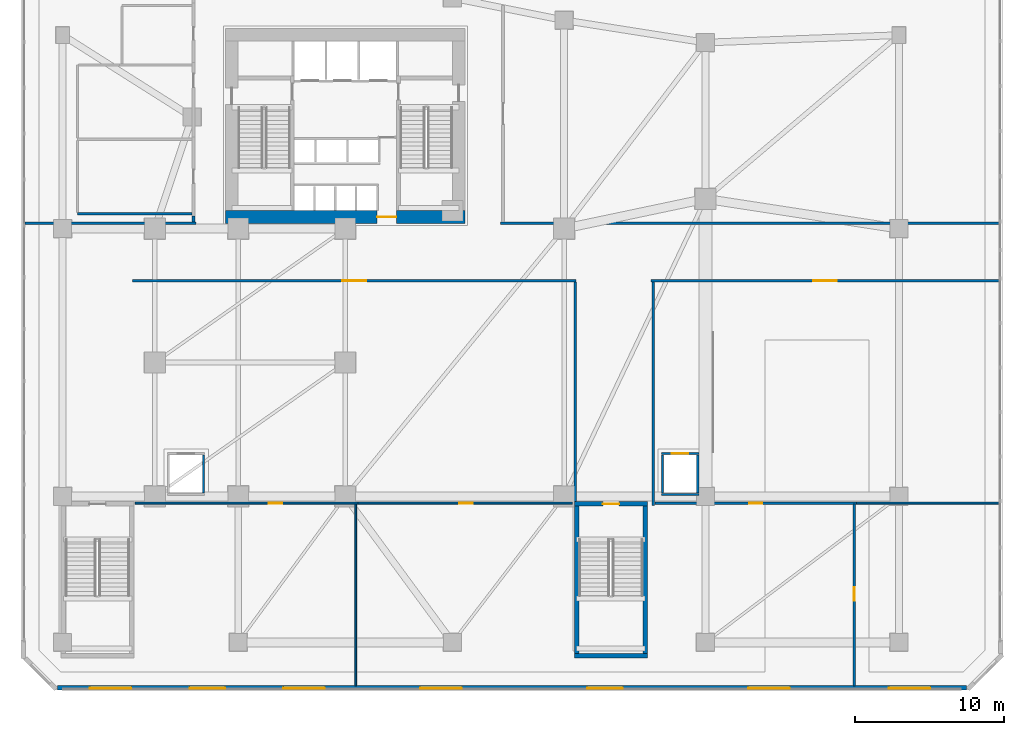
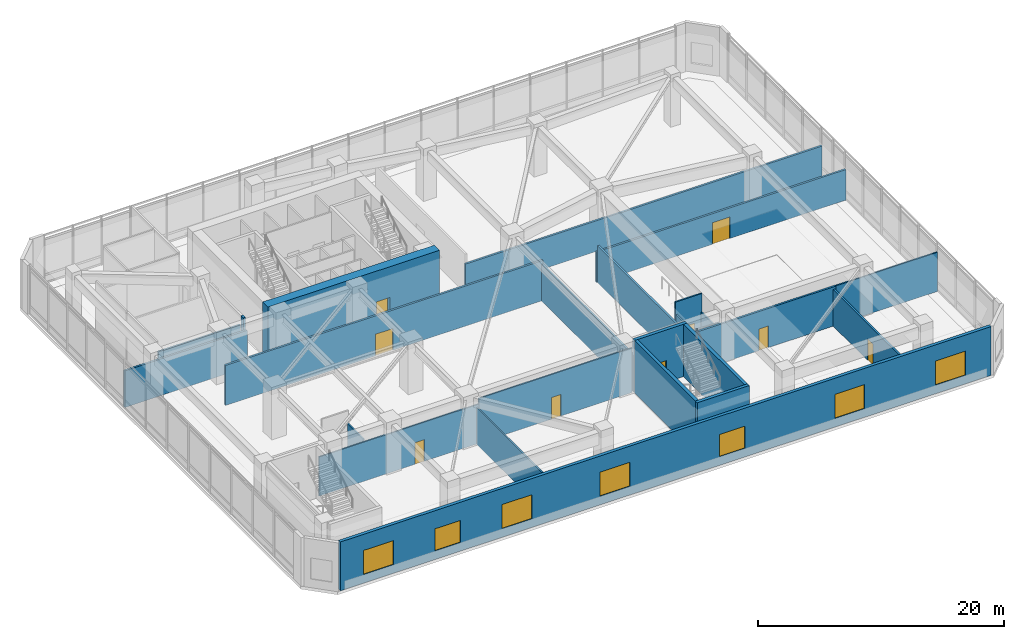
# One storey, part 10 of 15: 25 walls, 9 doors, 7 windows, 16 openings.
"""IFC4 building model written with IfcOpenShell, lengths in metres."""

import ifcopenshell
import ifcopenshell.guid

model = None  # the IFC model being written
_history = None  # IfcOwnerHistory: only IFC2X3 demands one
_inside = {}  # id of a spatial element -> (the spatial element, [elements in it])
_under = {}  # id of a project, library or spatial element -> (it, [spatial elements below it])
_declared = {}  # id of a project -> (the project, [libraries it declares])
_typed = {}  # id of a type object -> (the type object, [elements of that type])
_made_of = {}  # id of a material, layer set ... -> (it, [elements and type objects made of it])


def new_model(schema):
    """Start an empty IFC model of exactly this schema.

    Asked for "IFC4X3", IfcOpenShell would pick the latest addendum, in which some entities
    have other attributes; the version numbers below select the first issue.
    IFC2X3 requires an IfcOwnerHistory on every rooted entity: one is made here for all.
    """
    global model, _history
    if schema == "IFC4X3":
        model = ifcopenshell.file(schema_version=(4, 3, 0, 0))
    else:
        model = ifcopenshell.file(schema=schema)
    _inside.clear()
    _under.clear()
    _declared.clear()
    _typed.clear()
    _made_of.clear()
    _history = None
    if model.schema == "IFC2X3":
        org = make("IfcOrganization", Name="unknown")
        user = make(
            "IfcPersonAndOrganization",
            ThePerson=make("IfcPerson", FamilyName="unknown"),
            TheOrganization=org,
        )
        app = make(
            "IfcApplication",
            ApplicationDeveloper=org,
            Version="unknown",
            ApplicationFullName="unknown",
            ApplicationIdentifier="unknown",
        )
        _history = make(
            "IfcOwnerHistory",
            OwningUser=user,
            OwningApplication=app,
            ChangeAction="ADDED",
            CreationDate=0,
        )
    return model


def make(cls, **values):
    """One entity of the class cls with the attributes given. An attribute that is None is left unset."""
    return model.create_entity(
        cls, **{name: value for name, value in values.items() if value is not None}
    )


def rooted(cls, **values):
    """An entity with a GlobalId (a new one), such as an element, a storey or a relation."""
    return make(cls, GlobalId=ifcopenshell.guid.new(), OwnerHistory=_history, **values)


def si_unit(unit_type, name, prefix=None):
    """IfcSIUnit, for example si_unit("LENGTHUNIT", "METRE", prefix="MILLI")."""
    return make("IfcSIUnit", UnitType=unit_type, Prefix=prefix, Name=name)


def assignment(units):
    """IfcUnitAssignment: the units of a project."""
    return None if units is None else make("IfcUnitAssignment", Units=units)


def point(xyz):
    """IfcCartesianPoint."""
    return None if xyz is None else make("IfcCartesianPoint", Coordinates=xyz)


def direction(xyz):
    """IfcDirection."""
    return None if xyz is None else make("IfcDirection", DirectionRatios=xyz)


def frame(location, z_axis=None, x_axis=None):
    """IfcAxis2Placement3D, a coordinate frame: its origin and axes. An axis left out is left unset."""
    return make(
        "IfcAxis2Placement3D",
        Location=point(location),
        Axis=direction(z_axis),
        RefDirection=direction(x_axis),
    )


def frame_2d(location, x_axis=None):
    """IfcAxis2Placement2D, a coordinate frame in the plane: its origin and x axis."""
    return make(
        "IfcAxis2Placement2D", Location=point(location), RefDirection=direction(x_axis)
    )


def origin():
    """The frame at (0, 0, 0) with its axes left unset."""
    return frame((0.0, 0.0, 0.0))


def place(relative_to, where):
    """IfcLocalPlacement: puts the frame where relative to a parent placement (None: the world)."""
    return make(
        "IfcLocalPlacement", PlacementRelTo=relative_to, RelativePlacement=where
    )


def context(
    kind, dimensions, precision=None, world=None, true_north=None, identifier=None
):
    """IfcGeometricRepresentationContext, for example the 3D "Model" context."""
    return make(
        "IfcGeometricRepresentationContext",
        ContextIdentifier=identifier,
        ContextType=kind,
        CoordinateSpaceDimension=dimensions,
        Precision=precision,
        WorldCoordinateSystem=world,
        TrueNorth=true_north,
    )


def subcontext(parent, identifier, kind, view, scale=None):
    """IfcGeometricRepresentationSubContext, for example "Body" below "Model"."""
    return make(
        "IfcGeometricRepresentationSubContext",
        ContextIdentifier=identifier,
        ContextType=kind,
        ParentContext=parent,
        TargetScale=scale,
        TargetView=view,
    )


def project(units=None, contexts=None):
    """IfcProject with its units and contexts."""
    return rooted(
        "IfcProject",
        Name="project",
        RepresentationContexts=contexts,
        UnitsInContext=assignment(units),
    )


def spatial(cls, under=None, at=None, **own):
    """A site, building, storey or space (cls), placed at a placement, below another one or the project."""
    s = rooted(cls, ObjectPlacement=at, **own)
    if under is not None:
        _under.setdefault(under.id(), (under, []))[1].append(s)
    return s


def profile(cls, at=None, kind="AREA", **sizes):
    """A parametric profile (cls). Its sizes go by their IFC names, for example OverallWidth=200.0."""
    return make(cls, ProfileType=kind, Position=at, **sizes)


def rectangle(**sizes):
    """IfcRectangleProfileDef."""
    return profile("IfcRectangleProfileDef", **sizes)


def extrude(swept, where, along, depth):
    """IfcExtrudedAreaSolid: the profile swept, set in the frame where, extruded along a direction by depth."""
    return make(
        "IfcExtrudedAreaSolid",
        SweptArea=swept,
        Position=where,
        ExtrudedDirection=direction(along),
        Depth=depth,
    )


def shape(context_of_items, identifier, shape_type, items):
    """IfcShapeRepresentation: the items that make up one representation, for example the "Body"."""
    return make(
        "IfcShapeRepresentation",
        ContextOfItems=context_of_items,
        RepresentationIdentifier=identifier,
        RepresentationType=shape_type,
        Items=items,
    )


def source(mapping_origin, context_of_items, identifier, shape_type, items):
    """IfcRepresentationMap: a shape defined once, which mapped items show again and again."""
    return make(
        "IfcRepresentationMap",
        MappingOrigin=mapping_origin,
        MappedRepresentation=shape(context_of_items, identifier, shape_type, items),
    )


def transform(
    local_origin,
    x_axis=None,
    y_axis=None,
    z_axis=None,
    scale=None,
    scale2=None,
    scale3=None,
    uniform=True,
):
    """IfcCartesianTransformationOperator3D, or its non-uniform kind. x_axis, y_axis, z_axis: its Axis1, 2, 3."""
    if uniform:
        return make(
            "IfcCartesianTransformationOperator3D",
            Axis1=direction(x_axis),
            Axis2=direction(y_axis),
            LocalOrigin=point(local_origin),
            Scale=scale,
            Axis3=direction(z_axis),
        )
    return make(
        "IfcCartesianTransformationOperator3DnonUniform",
        Axis1=direction(x_axis),
        Axis2=direction(y_axis),
        LocalOrigin=point(local_origin),
        Scale=scale,
        Axis3=direction(z_axis),
        Scale2=scale2,
        Scale3=scale3,
    )


def mapped(mapping_source, mapping_target):
    """IfcMappedItem: shows the shape of a source again, moved by a transform."""
    return make(
        "IfcMappedItem", MappingSource=mapping_source, MappingTarget=mapping_target
    )


def material(Name=None, Category=None):
    """IfcMaterial."""
    return make("IfcMaterial", Name=Name, Category=Category)


def layer(
    of_material, thickness, ventilated=None, Name=None, Category=None, Priority=None
):
    """IfcMaterialLayer: one layer of a wall or slab, of a material (None: an air gap)."""
    return make(
        "IfcMaterialLayer",
        Material=of_material,
        LayerThickness=thickness,
        IsVentilated=ventilated,
        Name=Name,
        Category=Category,
        Priority=Priority,
    )


def layer_set(layers, Name=None):
    """IfcMaterialLayerSet."""
    return make("IfcMaterialLayerSet", MaterialLayers=layers, LayerSetName=Name)


def made_of(thing, what):
    """Note that an element or type object is made of a material, layer set ...; save() writes the relation."""
    if what is not None:
        _made_of.setdefault(what.id(), (what, []))[1].append(thing)
    return thing


def type_object(cls, material=None, **own):
    """A type object (cls), such as IfcWallType, which elements share."""
    return made_of(rooted(cls, **own), material)


def element(
    cls,
    number,
    at=None,
    inside=None,
    cuts=None,
    type_object=None,
    material=None,
    context=None,
    identifier="Body",
    shape_type=None,
    held_by="IfcProductDefinitionShape",
    body=None,
    shapes=None,
    **own,
):
    """One element of the class cls, such as IfcWall. Its Tag is "e" and its number.

    at: its placement. inside: the storey or other place that contains it. cuts: it is an
    opening in that element (IfcRelVoidsElement). A single representation is given by context,
    identifier, shape_type and body (its items); several are given by shapes. held_by: the class
    of the entity that holds the representations. save() writes the other relations.
    """
    e = rooted(cls, Tag="e%d" % number, ObjectPlacement=at, **own)
    if body is not None:
        shapes = [shape(context, identifier, shape_type, body)]
    if shapes is not None:
        e.Representation = make(held_by, Representations=shapes)
    if inside is not None:
        _inside.setdefault(inside.id(), (inside, []))[1].append(e)
    if cuts is not None:
        rooted(
            "IfcRelVoidsElement", RelatingBuildingElement=cuts, RelatedOpeningElement=e
        )
    if type_object is not None:
        _typed.setdefault(type_object.id(), (type_object, []))[1].append(e)
    return made_of(e, material)


def fill(opening, filler):
    """IfcRelFillsElement: the door or window that sits in an opening."""
    return rooted(
        "IfcRelFillsElement",
        RelatingOpeningElement=opening,
        RelatedBuildingElement=filler,
    )


def aggregate(whole, parts):
    """IfcRelAggregates: a whole, such as a stair, and the parts it consists of."""
    return rooted("IfcRelAggregates", RelatingObject=whole, RelatedObjects=parts)


def save(model, path):
    """Write the relations noted so far, then the file.

    IfcRelAggregates (storeys below a building ...), IfcRelContainedInSpatialStructure (elements
    in a storey), IfcRelDefinesByType, IfcRelAssociatesMaterial and IfcRelDeclares: one each for
    every whole, place, type object, material and project.
    """
    for whole, parts in _under.values():
        aggregate(whole, parts)
    for where, things in _inside.values():
        rooted(
            "IfcRelContainedInSpatialStructure",
            RelatedElements=things,
            RelatingStructure=where,
        )
    for kind, things in _typed.values():
        rooted("IfcRelDefinesByType", RelatedObjects=things, RelatingType=kind)
    for what, things in _made_of.values():
        rooted("IfcRelAssociatesMaterial", RelatedObjects=things, RelatingMaterial=what)
    for by, libraries in _declared.values():
        rooted("IfcRelDeclares", RelatingContext=by, RelatedDefinitions=libraries)
    model.write(path)


model = new_model("IFC4")

# Units and contexts
model_context = context("Model", 3, precision=1e-05, world=origin(), true_north=direction((0.0, 1.0)))
body_context = subcontext(model_context, "Body", "Model", "MODEL_VIEW")
ifc_project = project(units=[si_unit("LENGTHUNIT", "METRE"), si_unit("AREAUNIT", "SQUARE_METRE"), si_unit("VOLUMEUNIT", "CUBIC_METRE"), si_unit("PLANEANGLEUNIT", "RADIAN"), si_unit("MASSUNIT", "GRAM", prefix="KILO")], contexts=[model_context])

# Site, building, storey
site_placement = place(None, origin())
site = spatial("IfcSite", under=ifc_project, at=site_placement, CompositionType="ELEMENT")
building_placement = place(site_placement, origin())
building = spatial("IfcBuilding", under=site, at=building_placement, Name="Calvemar Wedge Station Tower", CompositionType="ELEMENT")
storey_placement = place(building_placement, frame((0.0, 0.0, 16.39990234375)))
storey = spatial("IfcBuildingStorey", under=building, at=storey_placement, Name="L04", CompositionType="ELEMENT", Elevation=16.39990234375)

# Walls
ifc_material_1 = material(Name="Concrete C50", Category="concrete")
ifc_layer_1 = layer(ifc_material_1, 0.300048828125)
ifc_layer_set_1 = layer_set([ifc_layer_1], Name="Concrete C50")
wall_type_1 = type_object("IfcWallType", Name="SW-CORE-300", PredefinedType="SHEAR", material=ifc_layer_set_1)
for number, where, z_axis, x_axis, name in (
    (1, (39.35009765625, 4.449951171875, 0.0), (0.0, 0.0, 1.0), (0.0, 1.0, 0.0), "Storey L04 Podium Stair STP2 Structural Wall W"),
    (2, (43.949951171875, 4.449951171875, 0.0), (0.0, 0.0, 1.0), (0.0, 1.0, 0.0), "Storey L04 Podium Stair STP2 Structural Wall E"),
):
    element("IfcWall", number, at=place(storey_placement, frame(where, z_axis=z_axis, x_axis=x_axis)), inside=storey, type_object=wall_type_1, Name=name, PredefinedType="SHEAR", context=body_context, shape_type="SweptSolid", body=[
        extrude(rectangle(XDim=9.900146484375, YDim=0.300048828125, at=frame_2d((4.9501953125, 0.0))), origin(), (0.0, 0.0, 1.0), 5.2001953125),
    ])
wall_1_placement = place(storey_placement, frame((39.199951171875, 4.300048828125, 0.0), z_axis=(0.0, 0.0, 1.0), x_axis=(1.0, 0.0, 0.0)))
element("IfcWall", 3, at=wall_1_placement, inside=storey, type_object=wall_type_1, Name="Storey L04 Podium Stair STP2 Structural Wall S", PredefinedType="SHEAR", context=body_context, shape_type="SweptSolid", body=[
    extrude(rectangle(XDim=4.900146484375, YDim=0.300048828125, at=frame_2d((2.4501953125, 0.0))), origin(), (0.0, 0.0, 1.0), 5.2001953125),
])

# Wall, opening, door
wall_2_placement = place(storey_placement, frame((39.199951171875, 14.5, 0.0), z_axis=(0.0, 0.0, 1.0), x_axis=(1.0, 0.0, 0.0)))
wall_2 = element("IfcWall", 4, at=wall_2_placement, inside=storey, type_object=wall_type_1, Name="Storey L04 Podium Stair STP2 Structural Wall N", PredefinedType="SHEAR", context=body_context, shape_type="SweptSolid", body=[
    extrude(rectangle(XDim=4.900146484375, YDim=0.300048828125, at=frame_2d((2.4501953125, 0.0))), origin(), (0.0, 0.0, 1.0), 5.2001953125),
])
shared_shape_1 = source(origin(), body_context, "Body", "SweptSolid", [
    extrude(rectangle(XDim=1.10009765625, YDim=2.14990234375, at=frame_2d((0.550048828125, 1.074951171875))), frame((0.0, 0.16015625, 0.0), z_axis=(0.0, -1.0, 0.0), x_axis=(1.0, 0.0, 0.0)), (0.0, 0.0, 1.0), 0.320068359375),
])
opening_1_placement = place(wall_2_placement, frame((1.89990234375, 0.0, 0.0)))
opening_1 = element("IfcOpeningElement", 5, at=opening_1_placement, cuts=wall_2, Name="Opening FD-90", PredefinedType="OPENING", context=body_context, shape_type="MappedRepresentation", body=[
    mapped(shared_shape_1, transform((0.0, 0.0, 0.0), scale=1.0)),
])
ifc_material_2 = material(Name="Galvanized fire-rated steel door leaf P-90", Category="steel")
door_type_1 = type_object("IfcDoorType", Name="DR-FD90-1100", OperationType="NOTDEFINED", PredefinedType="DOOR", material=ifc_material_2)
shared_shape_2 = source(origin(), body_context, "Body", "SweptSolid", [
    extrude(rectangle(XDim=1.10009765625, YDim=2.14990234375, at=frame_2d((0.550048828125, 1.074951171875))), frame((0.0, 0.02490234375, 0.0), z_axis=(0.0, -1.0, 0.0), x_axis=(1.0, 0.0, 0.0)), (0.0, 0.0, 1.0), 0.050048828125),
])
door_1_placement = place(opening_1_placement, origin())
door_1 = element("IfcDoor", 6, at=door_1_placement, inside=storey, type_object=door_type_1, Name="L04 Exit Stair ST-P2 Door", OperationType="SINGLE_SWING_LEFT", OverallHeight=2.14990234375, OverallWidth=1.10009765625, PredefinedType="DOOR", context=body_context, shape_type="MappedRepresentation", body=[
    mapped(shared_shape_2, transform((0.0, 0.0, 0.0), scale=1.0)),
])
fill(opening_1, door_1)

ifc_material_3 = material(Name="Concrete C80", Category="concrete")
ifc_layer_2 = layer(ifc_material_3, 0.85009765625)
ifc_layer_set_2 = layer_set([ifc_layer_2], Name="Concrete C80")
wall_type_2 = type_object("IfcWallType", Name="SW-CORE-850", PredefinedType="SHEAR", material=ifc_layer_set_2)
wall_3_placement = place(storey_placement, frame((15.75, 33.77490234375, 0.0), z_axis=(0.0, 0.0, 1.0), x_axis=(1.0, 0.0, 0.0)))
wall_3 = element("IfcWall", 7, at=wall_3_placement, inside=storey, type_object=wall_type_2, Name="Storey L04 Core Shear Wall S", PredefinedType="SHEAR", context=body_context, shape_type="SweptSolid", body=[
    extrude(rectangle(XDim=16.10009765625, YDim=0.85009765625, at=frame_2d((8.050048828125, 0.0))), origin(), (0.0, 0.0, 1.0), 5.2001953125),
])
shared_shape_3 = source(origin(), body_context, "Body", "SweptSolid", [
    extrude(rectangle(XDim=1.300048828125, YDim=2.14990234375, at=frame_2d((0.64990234375, 1.074951171875))), frame((0.0, 0.43505859375, 0.0), z_axis=(0.0, -1.0, 0.0), x_axis=(1.0, 0.0, 0.0)), (0.0, 0.0, 1.0), 0.8701171875),
])
opening_2_placement = place(wall_3_placement, frame((10.179931640625, 0.0, 0.0)))
opening_2 = element("IfcOpeningElement", 8, at=opening_2_placement, cuts=wall_3, Name="Opening DD-130", PredefinedType="OPENING", context=body_context, shape_type="MappedRepresentation", body=[
    mapped(shared_shape_3, transform((0.0, 0.0, 0.0), scale=1.0)),
])
ifc_material_4 = material(Name="Double-leaf lift lobby fire door EI 60")
door_type_2 = type_object("IfcDoorType", Name="DR-DBL-1300", OperationType="DOUBLE_DOOR_SINGLE_SWING", PredefinedType="DOOR", material=ifc_material_4)
shared_shape_4 = source(origin(), body_context, "Body", "SweptSolid", [
    extrude(rectangle(XDim=1.300048828125, YDim=2.14990234375, at=frame_2d((0.64990234375, 1.074951171875))), frame((0.0, 0.02490234375, 0.0), z_axis=(0.0, -1.0, 0.0), x_axis=(1.0, 0.0, 0.0)), (0.0, 0.0, 1.0), 0.050048828125),
])
door_2_placement = place(opening_2_placement, origin())
door_2 = element("IfcDoor", 9, at=door_2_placement, inside=storey, type_object=door_type_2, Name="L04 Passenger Lift Lobby Door", OperationType="DOUBLE_DOOR_SINGLE_SWING", OverallHeight=2.14990234375, OverallWidth=1.300048828125, PredefinedType="DOOR", context=body_context, shape_type="MappedRepresentation", body=[
    mapped(shared_shape_4, transform((0.0, 0.0, 0.0), scale=1.0)),
])
fill(opening_2, door_2)

# Wall
ifc_material_5 = material(Name="Double-stud fire-rated corridor partition")
ifc_layer_3 = layer(ifc_material_5, 0.179931640625)
ifc_layer_set_3 = layer_set([ifc_layer_3], Name="Double-stud fire-rated corridor partition")
wall_type_3 = type_object("IfcWallType", Name="W-CORR-180", PredefinedType="PARTITIONING", material=ifc_layer_set_3)
wall_4_placement = place(storey_placement, frame((2.264892578125, 33.35009765625, 0.0), z_axis=(0.0, 0.0, 1.0), x_axis=(1.0, 0.0, 0.0)))
element("IfcWall", 10, at=wall_4_placement, inside=storey, type_object=wall_type_3, Name="Storey L04 Interior Partition WL-L04-002", PredefinedType="PARTITIONING", context=body_context, shape_type="SweptSolid", body=[
    extrude(rectangle(XDim=11.4951171875, YDim=0.179931640625, at=frame_2d((5.74755859375, 0.0))), origin(), (0.0, 0.0, 1.0), 3.64208984375),
])

# Wall, opening, door
wall_5_placement = place(storey_placement, frame((39.31005859375, 29.5, 0.0), z_axis=(0.0, 0.0, 1.0), x_axis=(-1.0, 0.0, 0.0)))
wall_5 = element("IfcWall", 11, at=wall_5_placement, inside=storey, type_object=wall_type_3, Name="Storey L04 Interior Partition WL-L04-003", PredefinedType="PARTITIONING", context=body_context, shape_type="SweptSolid", body=[
    extrude(rectangle(XDim=29.820068359375, YDim=0.179931640625, at=frame_2d((14.91015625, 0.0))), origin(), (0.0, 0.0, 1.0), 3.97998046875),
])
shared_shape_5 = source(origin(), body_context, "Body", "SweptSolid", [
    extrude(rectangle(XDim=1.60009765625, YDim=2.14990234375, at=frame_2d((0.800048828125, 1.074951171875))), frame((0.0, 0.10009765625, 0.0), z_axis=(0.0, -1.0, 0.0), x_axis=(1.0, 0.0, 0.0)), (0.0, 0.0, 1.0), 0.199951171875),
])
opening_3_placement = place(wall_5_placement, frame((14.110107421875, 0.0, 0.0)))
opening_3 = element("IfcOpeningElement", 12, at=opening_3_placement, cuts=wall_5, Name="Opening DD-160", PredefinedType="OPENING", context=body_context, shape_type="MappedRepresentation", body=[
    mapped(shared_shape_5, transform((0.0, 0.0, 0.0), scale=1.0)),
])
ifc_material_6 = material(Name="Double-leaf fire-rated lobby door EI 60")
door_type_3 = type_object("IfcDoorType", Name="DR-DBL-1600", OperationType="DOUBLE_DOOR_SINGLE_SWING", PredefinedType="DOOR", material=ifc_material_6)
shared_shape_6 = source(origin(), body_context, "Body", "SweptSolid", [
    extrude(rectangle(XDim=1.60009765625, YDim=2.14990234375, at=frame_2d((0.800048828125, 1.074951171875))), frame((0.0, 0.02490234375, 0.0), z_axis=(0.0, -1.0, 0.0), x_axis=(1.0, 0.0, 0.0)), (0.0, 0.0, 1.0), 0.050048828125),
])
door_3_placement = place(opening_3_placement, origin())
door_3 = element("IfcDoor", 13, at=door_3_placement, inside=storey, type_object=door_type_3, Name="L04 Atlantic Grand Ballroom Door", OperationType="SINGLE_SWING_LEFT", OverallHeight=2.14990234375, OverallWidth=1.60009765625, PredefinedType="DOOR", context=body_context, shape_type="MappedRepresentation", body=[
    mapped(shared_shape_6, transform((0.0, 0.0, 0.0), scale=1.0)),
])
fill(opening_3, door_3)

wall_6_placement = place(storey_placement, frame((67.735107421875, 29.5, 0.0), z_axis=(0.0, 0.0, 1.0), x_axis=(-1.0, 0.0, 0.0)))
wall_6 = element("IfcWall", 14, at=wall_6_placement, inside=storey, type_object=wall_type_3, Name="Storey L04 Interior Partition WL-L04-004", PredefinedType="PARTITIONING", context=body_context, shape_type="SweptSolid", body=[
    extrude(rectangle(XDim=23.39501953125, YDim=0.179931640625, at=frame_2d((11.697509765625, 0.0))), origin(), (0.0, 0.0, 1.0), 3.0419921875),
])
opening_4_placement = place(wall_6_placement, frame((10.8974609375, 0.0, 0.0)))
opening_4 = element("IfcOpeningElement", 15, at=opening_4_placement, cuts=wall_6, Name="Opening DD-160", PredefinedType="OPENING", context=body_context, shape_type="MappedRepresentation", body=[
    mapped(shared_shape_5, transform((0.0, 0.0, 0.0), scale=1.0)),
])
door_4_placement = place(opening_4_placement, origin())
door_4 = element("IfcDoor", 16, at=door_4_placement, inside=storey, type_object=door_type_3, Name="L04 All-Day Dining Hall Door", OperationType="SINGLE_SWING_RIGHT", OverallHeight=2.14990234375, OverallWidth=1.60009765625, PredefinedType="DOOR", context=body_context, shape_type="MappedRepresentation", body=[
    mapped(shared_shape_6, transform((0.0, 0.0, 0.0), scale=1.0)),
])
fill(opening_4, door_4)

# Walls
wall_7_placement = place(storey_placement, frame((34.239990234375, 33.35009765625, 0.0), z_axis=(0.0, 0.0, 1.0), x_axis=(1.0, 0.0, 0.0)))
element("IfcWall", 17, at=wall_7_placement, inside=storey, type_object=wall_type_3, Name="Storey L04 Interior Partition WL-L04-005", PredefinedType="PARTITIONING", context=body_context, shape_type="SweptSolid", body=[
    extrude(rectangle(XDim=33.4951171875, YDim=0.179931640625, at=frame_2d((16.74755859375, 0.0))), origin(), (0.0, 0.0, 1.0), 3.0419921875),
])
wall_8_placement = place(storey_placement, frame((39.25, 14.52001953125, 0.0), z_axis=(0.0, 0.0, 1.0), x_axis=(0.0, 1.0, 0.0)))
element("IfcWall", 18, at=wall_8_placement, inside=storey, type_object=wall_type_3, Name="Storey L04 Interior Partition WL-L04-006", PredefinedType="PARTITIONING", context=body_context, shape_type="SweptSolid", body=[
    extrude(rectangle(XDim=14.885986328125, YDim=0.179931640625, at=frame_2d((7.44287109375, 0.0))), origin(), (0.0, 0.0, 1.0), 3.64208984375),
])
wall_9_placement = place(storey_placement, frame((44.5, 29.406005859375, 0.0), z_axis=(0.0, 0.0, 1.0), x_axis=(0.0, -1.0, 0.0)))
element("IfcWall", 19, at=wall_9_placement, inside=storey, type_object=wall_type_3, Name="Storey L04 Interior Partition WL-L04-007", PredefinedType="PARTITIONING", context=body_context, shape_type="SweptSolid", body=[
    extrude(rectangle(XDim=15.006103515625, YDim=0.179931640625, at=frame_2d((7.5029296875, 0.0))), origin(), (0.0, 0.0, 1.0), 3.64208984375),
])
wall_10_placement = place(storey_placement, frame((13.60009765625, 33.444091796875, 0.0), z_axis=(0.0, 0.0, 1.0), x_axis=(0.0, 1.0, 0.0)))
element("IfcWall", 20, at=wall_10_placement, inside=storey, type_object=wall_type_3, Name="Storey L04 Interior Partition WL-L04-012", PredefinedType="PARTITIONING", context=body_context, shape_type="SweptSolid", body=[
    extrude(rectangle(XDim=0.393798828125, YDim=0.179931640625, at=frame_2d((0.19677734375, 0.0))), origin(), (0.0, 0.0, 1.0), 4.85009765625),
])

# Wall, opening, door
wall_11_placement = place(storey_placement, frame((58.159912109375, 14.550048828125, 0.0), z_axis=(0.0, 0.0, 1.0), x_axis=(-1.0, 0.0, 0.0)))
wall_11 = element("IfcWall", 21, at=wall_11_placement, inside=storey, type_object=wall_type_3, Name="Storey L04 Interior Partition WL-L04-024", PredefinedType="PARTITIONING", context=body_context, shape_type="SweptSolid", body=[
    extrude(rectangle(XDim=13.56591796875, YDim=0.179931640625, at=frame_2d((6.782958984375, 0.0))), origin(), (0.0, 0.0, 1.0), 3.89208984375),
])
shared_shape_7 = source(origin(), body_context, "Body", "SweptSolid", [
    extrude(rectangle(XDim=0.89990234375, YDim=2.14990234375, at=frame_2d((0.449951171875, 1.074951171875))), frame((0.0, 0.10009765625, 0.0), z_axis=(0.0, -1.0, 0.0), x_axis=(1.0, 0.0, 0.0)), (0.0, 0.0, 1.0), 0.199951171875),
])
opening_5_placement = place(wall_11_placement, frame((6.3330078125, 0.0, 0.0)))
opening_5 = element("IfcOpeningElement", 22, at=opening_5_placement, cuts=wall_11, Name="Opening FD-60", PredefinedType="OPENING", context=body_context, shape_type="MappedRepresentation", body=[
    mapped(shared_shape_7, transform((0.0, 0.0, 0.0), scale=1.0)),
])
ifc_material_7 = material(Name="Fire-rated acoustic timber-core entrance door EI 60", Category="wood")
door_type_4 = type_object("IfcDoorType", Name="DR-FD60-900", OperationType="NOTDEFINED", PredefinedType="DOOR", material=ifc_material_7)
shared_shape_8 = source(origin(), body_context, "Body", "SweptSolid", [
    extrude(rectangle(XDim=0.89990234375, YDim=2.14990234375, at=frame_2d((0.449951171875, 1.074951171875))), frame((0.0, 0.02490234375, 0.0), z_axis=(0.0, -1.0, 0.0), x_axis=(1.0, 0.0, 0.0)), (0.0, 0.0, 1.0), 0.050048828125),
])
door_5_placement = place(opening_5_placement, origin())
door_5 = element("IfcDoor", 23, at=door_5_placement, inside=storey, type_object=door_type_4, Name="L04 Banquet Preparation Kitchen Door", OperationType="SINGLE_SWING_LEFT", OverallHeight=2.14990234375, OverallWidth=0.89990234375, PredefinedType="DOOR", context=body_context, shape_type="MappedRepresentation", body=[
    mapped(shared_shape_8, transform((0.0, 0.0, 0.0), scale=1.0)),
])
fill(opening_5, door_5)

wall_12_placement = place(storey_placement, frame((58.0, 14.4833984375, 0.0), z_axis=(0.0, 0.0, 1.0), x_axis=(0.0, -1.0, 0.0)))
wall_12 = element("IfcWall", 24, at=wall_12_placement, inside=storey, type_object=wall_type_3, Name="Storey L04 Interior Partition WL-L04-026", PredefinedType="PARTITIONING", context=body_context, shape_type="SweptSolid", body=[
    extrude(rectangle(XDim=12.218505859375, YDim=0.179931640625, at=frame_2d((6.109375, 0.0))), origin(), (0.0, 0.0, 1.0), 3.64208984375),
])
opening_6_placement = place(wall_12_placement, frame((5.598876953125, 0.0, 0.0)))
opening_6 = element("IfcOpeningElement", 25, at=opening_6_placement, cuts=wall_12, Name="Opening FD-60", PredefinedType="OPENING", context=body_context, shape_type="MappedRepresentation", body=[
    mapped(shared_shape_7, transform((0.0, 0.0, 0.0), scale=1.0)),
])
door_6_placement = place(opening_6_placement, origin())
door_6 = element("IfcDoor", 26, at=door_6_placement, inside=storey, type_object=door_type_4, Name="L04 Cold Pantry Store Door", OperationType="SINGLE_SWING_RIGHT", OverallHeight=2.14990234375, OverallWidth=0.89990234375, PredefinedType="DOOR", context=body_context, shape_type="MappedRepresentation", body=[
    mapped(shared_shape_8, transform((0.0, 0.0, 0.0), scale=1.0)),
])
fill(opening_6, door_6)

# Wall, openings, windows
ifc_material_8 = material(Name="Precast concrete C45", Category="concrete")
ifc_layer_4 = layer(ifc_material_8, 0.300048828125)
ifc_layer_set_4 = layer_set([ifc_layer_4], Name="Precast concrete C45")
wall_type_4 = type_object("IfcWallType", Name="W-EXT-GFRC-300", PredefinedType="SOLIDWALL", material=ifc_layer_set_4)
wall_13_placement = place(storey_placement, frame((4.457275390625, 2.14990234375, 0.0), z_axis=(0.0, 0.0, 1.0), x_axis=(1.0, 0.0, 0.0)))
wall_13 = element("IfcWall", 27, at=wall_13_placement, inside=storey, type_object=wall_type_4, Name="Storey L04 Bronze GFRC Exterior Wall 8", PredefinedType="SOLIDWALL", context=body_context, shape_type="SweptSolid", body=[
    extrude(rectangle(XDim=61.08544921875, YDim=0.300048828125, at=frame_2d((30.542724609375, 0.0))), origin(), (0.0, 0.0, 1.0), 4.85009765625),
])
shared_shape_9 = source(origin(), body_context, "Body", "SweptSolid", [
    extrude(rectangle(XDim=2.800048828125, YDim=2.39990234375, at=frame_2d((1.39990234375, 1.199951171875))), frame((0.0, 0.16015625, 0.0), z_axis=(0.0, -1.0, 0.0), x_axis=(1.0, 0.0, 0.0)), (0.0, 0.0, 1.0), 0.320068359375),
])
opening_7_placement = place(wall_13_placement, frame((2.169921875, 0.0, 0.85009765625)))
opening_7 = element("IfcOpeningElement", 28, at=opening_7_placement, cuts=wall_13, Name="Opening W6", PredefinedType="OPENING", context=body_context, shape_type="MappedRepresentation", body=[
    mapped(shared_shape_9, transform((0.0, 0.0, 0.0), scale=1.0)),
])
shared_shape_10 = source(origin(), body_context, "Body", "SweptSolid", [
    extrude(rectangle(XDim=2.39990234375, YDim=2.199951171875, at=frame_2d((1.199951171875, 1.10009765625))), frame((0.0, 0.16015625, 0.0), z_axis=(0.0, -1.0, 0.0), x_axis=(1.0, 0.0, 0.0)), (0.0, 0.0, 1.0), 0.320068359375),
])
opening_8_placement = place(wall_13_placement, frame((8.87109375, 0.0, 0.85009765625)))
opening_8 = element("IfcOpeningElement", 29, at=opening_8_placement, cuts=wall_13, Name="Opening W1", PredefinedType="OPENING", context=body_context, shape_type="MappedRepresentation", body=[
    mapped(shared_shape_10, transform((0.0, 0.0, 0.0), scale=1.0)),
])
opening_9_placement = place(wall_13_placement, frame((15.172119140625, 0.0, 0.85009765625)))
opening_9 = element("IfcOpeningElement", 30, at=opening_9_placement, cuts=wall_13, Name="Opening W6", PredefinedType="OPENING", context=body_context, shape_type="MappedRepresentation", body=[
    mapped(shared_shape_9, transform((0.0, 0.0, 0.0), scale=1.0)),
])
opening_10_placement = place(wall_13_placement, frame((24.373046875, 0.0, 0.85009765625)))
opening_10 = element("IfcOpeningElement", 31, at=opening_10_placement, cuts=wall_13, Name="Opening W6", PredefinedType="OPENING", context=body_context, shape_type="MappedRepresentation", body=[
    mapped(shared_shape_9, transform((0.0, 0.0, 0.0), scale=1.0)),
])
opening_11_placement = place(wall_13_placement, frame((35.593017578125, 0.0, 0.85009765625)))
opening_11 = element("IfcOpeningElement", 32, at=opening_11_placement, cuts=wall_13, Name="Opening W1", PredefinedType="OPENING", context=body_context, shape_type="MappedRepresentation", body=[
    mapped(shared_shape_10, transform((0.0, 0.0, 0.0), scale=1.0)),
])
opening_12_placement = place(wall_13_placement, frame((46.4130859375, 0.0, 0.85009765625)))
opening_12 = element("IfcOpeningElement", 33, at=opening_12_placement, cuts=wall_13, Name="Opening W6", PredefinedType="OPENING", context=body_context, shape_type="MappedRepresentation", body=[
    mapped(shared_shape_9, transform((0.0, 0.0, 0.0), scale=1.0)),
])
opening_13_placement = place(wall_13_placement, frame((55.864013671875, 0.0, 0.85009765625)))
opening_13 = element("IfcOpeningElement", 34, at=opening_13_placement, cuts=wall_13, Name="Opening W6", PredefinedType="OPENING", context=body_context, shape_type="MappedRepresentation", body=[
    mapped(shared_shape_9, transform((0.0, 0.0, 0.0), scale=1.0)),
])
ifc_material_9 = material(Name="Low-E laminated insulated glass", Category="glass")
window_type_1 = type_object("IfcWindowType", Name="WIN-EXT-6", PartitioningType="SINGLE_PANEL", PredefinedType="WINDOW", material=ifc_material_9)
shared_shape_11 = source(origin(), body_context, "Body", "SweptSolid", [
    extrude(rectangle(XDim=2.800048828125, YDim=2.39990234375, at=frame_2d((1.39990234375, 1.199951171875))), frame((0.0, -0.014892578125, 0.0), z_axis=(0.0, -1.0, 0.0), x_axis=(1.0, 0.0, 0.0)), (0.0, 0.0, 1.0), 0.06005859375),
])
window_1_placement = place(opening_7_placement, origin())
window_1 = element("IfcWindow", 35, at=window_1_placement, inside=storey, type_object=window_type_1, Name="Storey L04 Recessed Window 8.1", OverallHeight=2.39990234375, OverallWidth=2.800048828125, PartitioningType="SINGLE_PANEL", PredefinedType="WINDOW", context=body_context, shape_type="MappedRepresentation", body=[
    mapped(shared_shape_11, transform((0.0, 0.0, 0.0), scale=1.0)),
])
fill(opening_7, window_1)
window_2_placement = place(opening_9_placement, origin())
window_2 = element("IfcWindow", 36, at=window_2_placement, inside=storey, type_object=window_type_1, Name="Storey L04 Recessed Window 8.3", OverallHeight=2.39990234375, OverallWidth=2.800048828125, PartitioningType="SINGLE_PANEL", PredefinedType="WINDOW", context=body_context, shape_type="MappedRepresentation", body=[
    mapped(shared_shape_11, transform((0.0, 0.0, 0.0), scale=1.0)),
])
fill(opening_9, window_2)
window_3_placement = place(opening_10_placement, origin())
window_3 = element("IfcWindow", 37, at=window_3_placement, inside=storey, type_object=window_type_1, Name="Storey L04 Recessed Window 8.4", OverallHeight=2.39990234375, OverallWidth=2.800048828125, PartitioningType="SINGLE_PANEL", PredefinedType="WINDOW", context=body_context, shape_type="MappedRepresentation", body=[
    mapped(shared_shape_11, transform((0.0, 0.0, 0.0), scale=1.0)),
])
fill(opening_10, window_3)
window_4_placement = place(opening_12_placement, origin())
window_4 = element("IfcWindow", 38, at=window_4_placement, inside=storey, type_object=window_type_1, Name="Storey L04 Recessed Window 8.6", OverallHeight=2.39990234375, OverallWidth=2.800048828125, PartitioningType="SINGLE_PANEL", PredefinedType="WINDOW", context=body_context, shape_type="MappedRepresentation", body=[
    mapped(shared_shape_11, transform((0.0, 0.0, 0.0), scale=1.0)),
])
fill(opening_12, window_4)
window_5_placement = place(opening_13_placement, origin())
window_5 = element("IfcWindow", 39, at=window_5_placement, inside=storey, type_object=window_type_1, Name="Storey L04 Recessed Window 8.7", OverallHeight=2.39990234375, OverallWidth=2.800048828125, PartitioningType="SINGLE_PANEL", PredefinedType="WINDOW", context=body_context, shape_type="MappedRepresentation", body=[
    mapped(shared_shape_11, transform((0.0, 0.0, 0.0), scale=1.0)),
])
fill(opening_13, window_5)
window_type_2 = type_object("IfcWindowType", Name="WIN-EXT-1", PartitioningType="SINGLE_PANEL", PredefinedType="WINDOW", material=ifc_material_9)
shared_shape_12 = source(origin(), body_context, "Body", "SweptSolid", [
    extrude(rectangle(XDim=2.39990234375, YDim=2.199951171875, at=frame_2d((1.199951171875, 1.10009765625))), frame((0.0, -0.014892578125, 0.0), z_axis=(0.0, -1.0, 0.0), x_axis=(1.0, 0.0, 0.0)), (0.0, 0.0, 1.0), 0.06005859375),
])
window_6_placement = place(opening_8_placement, origin())
window_6 = element("IfcWindow", 40, at=window_6_placement, inside=storey, type_object=window_type_2, Name="Storey L04 Recessed Window 8.2", OverallHeight=2.199951171875, OverallWidth=2.39990234375, PartitioningType="SINGLE_PANEL", PredefinedType="WINDOW", context=body_context, shape_type="MappedRepresentation", body=[
    mapped(shared_shape_12, transform((0.0, 0.0, 0.0), scale=1.0)),
])
fill(opening_8, window_6)
window_7_placement = place(opening_11_placement, origin())
window_7 = element("IfcWindow", 41, at=window_7_placement, inside=storey, type_object=window_type_2, Name="Storey L04 Recessed Window 8.5", OverallHeight=2.199951171875, OverallWidth=2.39990234375, PartitioningType="SINGLE_PANEL", PredefinedType="WINDOW", context=body_context, shape_type="MappedRepresentation", body=[
    mapped(shared_shape_12, transform((0.0, 0.0, 0.0), scale=1.0)),
])
fill(opening_11, window_7)

# Wall
ifc_material_10 = material(Name="Reinforced concrete blockwork lift shaft wall", Category="masonry")
ifc_layer_5 = layer(ifc_material_10, 0.139892578125)
ifc_layer_set_5 = layer_set([ifc_layer_5], Name="Reinforced concrete blockwork lift shaft wall")
wall_type_5 = type_object("IfcWallType", Name="W-LIFT-160", PredefinedType="SOLIDWALL", material=ifc_layer_set_5)
wall_14_placement = place(storey_placement, frame((14.280029296875, 15.219970703125, 0.0), z_axis=(0.0, 0.0, 1.0), x_axis=(0.0, 1.0, 0.0)))
element("IfcWall", 42, at=wall_14_placement, inside=storey, type_object=wall_type_5, Name="Storey L04 Station Lift SL-01 Shaft Wall E", PredefinedType="SOLIDWALL", context=body_context, shape_type="SweptSolid", body=[
    extrude(rectangle(XDim=2.56005859375, YDim=0.139892578125, at=frame_2d((1.280029296875, 0.0))), origin(), (0.0, 0.0, 1.0), 3.64208984375),
])

# Wall, opening, door
wall_15_placement = place(storey_placement, frame((45.050048828125, 17.8798828125, 0.0), z_axis=(0.0, 0.0, 1.0), x_axis=(1.0, 0.0, 0.0)))
wall_15 = element("IfcWall", 43, at=wall_15_placement, inside=storey, type_object=wall_type_5, Name="Storey L04 Station Lift SL-02 Shaft Wall N", PredefinedType="SOLIDWALL", context=body_context, shape_type="SweptSolid", body=[
    extrude(rectangle(XDim=2.5, YDim=0.139892578125, at=frame_2d((1.25, 0.0))), origin(), (0.0, 0.0, 1.0), 4.85009765625),
])
shared_shape_13 = source(origin(), body_context, "Body", "SweptSolid", [
    extrude(rectangle(XDim=1.10009765625, YDim=2.14990234375, at=frame_2d((0.550048828125, 1.074951171875))), frame((0.0, 0.080078125, 0.0), z_axis=(0.0, -1.0, 0.0), x_axis=(1.0, 0.0, 0.0)), (0.0, 0.0, 1.0), 0.159912109375),
])
opening_14_placement = place(wall_15_placement, frame((0.699951171875, 0.0, 0.0)))
opening_14 = element("IfcOpeningElement", 44, at=opening_14_placement, cuts=wall_15, Name="Opening LD-STN", PredefinedType="OPENING", context=body_context, shape_type="MappedRepresentation", body=[
    mapped(shared_shape_13, transform((0.0, 0.0, 0.0), scale=1.0)),
])
ifc_material_11 = material(Name="Stainless steel transit lift sliding landing door", Category="steel")
door_type_5 = type_object("IfcDoorType", Name="DR-LD-PAX-1100", OperationType="SLIDING_TO_LEFT", PredefinedType="DOOR", material=ifc_material_11)
shared_shape_14 = source(origin(), body_context, "Body", "SweptSolid", [
    extrude(rectangle(XDim=1.10009765625, YDim=2.14990234375, at=frame_2d((0.550048828125, 1.074951171875))), frame((0.0, 0.02490234375, 0.0), z_axis=(0.0, -1.0, 0.0), x_axis=(1.0, 0.0, 0.0)), (0.0, 0.0, 1.0), 0.050048828125),
])
door_7_placement = place(opening_14_placement, origin())
door_7 = element("IfcDoor", 45, at=door_7_placement, inside=storey, type_object=door_type_5, Name="L04 Station Lift SL-02 Sliding Landing Door", OperationType="SLIDING_TO_RIGHT", OverallHeight=2.14990234375, OverallWidth=1.10009765625, PredefinedType="DOOR", context=body_context, shape_type="MappedRepresentation", body=[
    mapped(shared_shape_14, transform((0.0, 0.0, 0.0), scale=1.0)),
])
fill(opening_14, door_7)

# Walls
wall_16_placement = place(storey_placement, frame((45.050048828125, 15.1201171875, 0.0), z_axis=(0.0, 0.0, 1.0), x_axis=(1.0, 0.0, 0.0)))
element("IfcWall", 46, at=wall_16_placement, inside=storey, type_object=wall_type_5, Name="Storey L04 Station Lift SL-02 Shaft Wall S", PredefinedType="SOLIDWALL", context=body_context, shape_type="SweptSolid", body=[
    extrude(rectangle(XDim=2.5, YDim=0.139892578125, at=frame_2d((1.25, 0.0))), origin(), (0.0, 0.0, 1.0), 3.64208984375),
])
wall_17_placement = place(storey_placement, frame((45.1201171875, 15.219970703125, 0.0), z_axis=(0.0, 0.0, 1.0), x_axis=(0.0, 1.0, 0.0)))
element("IfcWall", 47, at=wall_17_placement, inside=storey, type_object=wall_type_5, Name="Storey L04 Station Lift SL-02 Shaft Wall W", PredefinedType="SOLIDWALL", context=body_context, shape_type="SweptSolid", body=[
    extrude(rectangle(XDim=2.56005859375, YDim=0.139892578125, at=frame_2d((1.280029296875, 0.0))), origin(), (0.0, 0.0, 1.0), 3.64208984375),
])
wall_18_placement = place(storey_placement, frame((47.47998046875, 15.219970703125, 0.0), z_axis=(0.0, 0.0, 1.0), x_axis=(0.0, 1.0, 0.0)))
element("IfcWall", 48, at=wall_18_placement, inside=storey, type_object=wall_type_5, Name="Storey L04 Station Lift SL-02 Shaft Wall E", PredefinedType="SOLIDWALL", context=body_context, shape_type="SweptSolid", body=[
    extrude(rectangle(XDim=2.56005859375, YDim=0.139892578125, at=frame_2d((1.280029296875, 0.0))), origin(), (0.0, 0.0, 1.0), 3.0419921875),
])

# Wall, opening, door
ifc_material_12 = material(Name="Insulated acoustic gypsum stud partition")
ifc_layer_6 = layer(ifc_material_12, 0.125)
ifc_layer_set_6 = layer_set([ifc_layer_6], Name="Insulated acoustic gypsum stud partition")
wall_type_6 = type_object("IfcWallType", Name="W-PART-125", PredefinedType="PARTITIONING", material=ifc_layer_set_6)
wall_19_placement = place(storey_placement, frame((24.659912109375, 14.550048828125, 0.0), z_axis=(0.0, 0.0, 1.0), x_axis=(-1.0, 0.0, 0.0)))
wall_19 = element("IfcWall", 49, at=wall_19_placement, inside=storey, type_object=wall_type_6, Name="Storey L04 Interior Partition WL-L04-022", PredefinedType="PARTITIONING", context=body_context, shape_type="SweptSolid", body=[
    extrude(rectangle(XDim=14.989990234375, YDim=0.125, at=frame_2d((7.4951171875, 0.0))), origin(), (0.0, 0.0, 1.0), 3.89208984375),
])
shared_shape_15 = source(origin(), body_context, "Body", "SweptSolid", [
    extrude(rectangle(XDim=0.89990234375, YDim=2.14990234375, at=frame_2d((0.449951171875, 1.074951171875))), frame((0.0, 0.072509765625, 0.0), z_axis=(0.0, -1.0, 0.0), x_axis=(1.0, 0.0, 0.0)), (0.0, 0.0, 1.0), 0.14501953125),
])
opening_15_placement = place(wall_19_placement, frame((5.112060546875, 0.0, 0.0)))
opening_15 = element("IfcOpeningElement", 50, at=opening_15_placement, cuts=wall_19, Name="Opening D-01", PredefinedType="OPENING", context=body_context, shape_type="MappedRepresentation", body=[
    mapped(shared_shape_15, transform((0.0, 0.0, 0.0), scale=1.0)),
])
ifc_material_13 = material(Name="Architectural hardwood acoustic swing door", Category="wood")
door_type_6 = type_object("IfcDoorType", Name="DR-INT-900", OperationType="NOTDEFINED", PredefinedType="DOOR", material=ifc_material_13)
shared_shape_16 = source(origin(), body_context, "Body", "SweptSolid", [
    extrude(rectangle(XDim=0.89990234375, YDim=2.14990234375, at=frame_2d((0.449951171875, 1.074951171875))), frame((0.0, 0.02490234375, 0.0), z_axis=(0.0, -1.0, 0.0), x_axis=(1.0, 0.0, 0.0)), (0.0, 0.0, 1.0), 0.050048828125),
])
door_8_placement = place(opening_15_placement, origin())
door_8 = element("IfcDoor", 51, at=door_8_placement, inside=storey, type_object=door_type_6, Name="L04 Private Dining Room 1 Door", OperationType="SINGLE_SWING_LEFT", OverallHeight=2.14990234375, OverallWidth=0.89990234375, PredefinedType="DOOR", context=body_context, shape_type="MappedRepresentation", body=[
    mapped(shared_shape_16, transform((0.0, 0.0, 0.0), scale=1.0)),
])
fill(opening_15, door_8)

wall_20_placement = place(storey_placement, frame((39.055908203125, 14.550048828125, 0.0), z_axis=(0.0, 0.0, 1.0), x_axis=(-1.0, 0.0, 0.0)))
wall_20 = element("IfcWall", 52, at=wall_20_placement, inside=storey, type_object=wall_type_6, Name="Storey L04 Interior Partition WL-L04-023", PredefinedType="PARTITIONING", context=body_context, shape_type="SweptSolid", body=[
    extrude(rectangle(XDim=14.393798828125, YDim=0.125, at=frame_2d((7.19677734375, 0.0))), origin(), (0.0, 0.0, 1.0), 4.43505859375),
])
opening_16_placement = place(wall_20_placement, frame((6.6865234375, 0.0, 0.0)))
opening_16 = element("IfcOpeningElement", 53, at=opening_16_placement, cuts=wall_20, Name="Opening D-01", PredefinedType="OPENING", context=body_context, shape_type="MappedRepresentation", body=[
    mapped(shared_shape_15, transform((0.0, 0.0, 0.0), scale=1.0)),
])
door_9_placement = place(opening_16_placement, origin())
door_9 = element("IfcDoor", 54, at=door_9_placement, inside=storey, type_object=door_type_6, Name="L04 Private Dining Room 2 Door", OperationType="SINGLE_SWING_RIGHT", OverallHeight=2.14990234375, OverallWidth=0.89990234375, PredefinedType="DOOR", context=body_context, shape_type="MappedRepresentation", body=[
    mapped(shared_shape_16, transform((0.0, 0.0, 0.0), scale=1.0)),
])
fill(opening_16, door_9)

# Walls
wall_21_placement = place(storey_placement, frame((67.735107421875, 14.550048828125, 0.0), z_axis=(0.0, 0.0, 1.0), x_axis=(-1.0, 0.0, 0.0)))
element("IfcWall", 55, at=wall_21_placement, inside=storey, type_object=wall_type_6, Name="Storey L04 Interior Partition WL-L04-025", PredefinedType="PARTITIONING", context=body_context, shape_type="SweptSolid", body=[
    extrude(rectangle(XDim=9.572998046875, YDim=0.125, at=frame_2d((4.78662109375, 0.0))), origin(), (0.0, 0.0, 1.0), 3.89208984375),
])
wall_22_placement = place(storey_placement, frame((24.5, 14.4833984375, 0.0), z_axis=(0.0, 0.0, 1.0), x_axis=(0.0, -1.0, 0.0)))
element("IfcWall", 56, at=wall_22_placement, inside=storey, type_object=wall_type_6, Name="Storey L04 Interior Partition WL-L04-027", PredefinedType="PARTITIONING", context=body_context, shape_type="SweptSolid", body=[
    extrude(rectangle(XDim=12.218505859375, YDim=0.125, at=frame_2d((6.109375, 0.0))), origin(), (0.0, 0.0, 1.0), 3.64208984375),
])
ifc_material_14 = material(Name="Moisture-resistant acoustic bathroom partition")
ifc_layer_7 = layer(ifc_material_14, 0.14990234375)
ifc_layer_set_7 = layer_set([ifc_layer_7], Name="Moisture-resistant acoustic bathroom partition")
wall_type_7 = type_object("IfcWallType", Name="W-WET-150", PredefinedType="PARTITIONING", material=ifc_layer_set_7)
wall_23_placement = place(storey_placement, frame((13.506103515625, 34.0, 0.0), z_axis=(0.0, 0.0, 1.0), x_axis=(-1.0, 0.0, 0.0)))
element("IfcWall", 57, at=wall_23_placement, inside=storey, type_object=wall_type_7, Name="Storey L04 Interior Partition WL-L04-015", PredefinedType="PARTITIONING", context=body_context, shape_type="SweptSolid", body=[
    extrude(rectangle(XDim=7.7060546875, YDim=0.14990234375, at=frame_2d((3.85302734375, 0.0))), origin(), (0.0, 0.0, 1.0), 3.89208984375),
])

save(model, "model.ifc")
